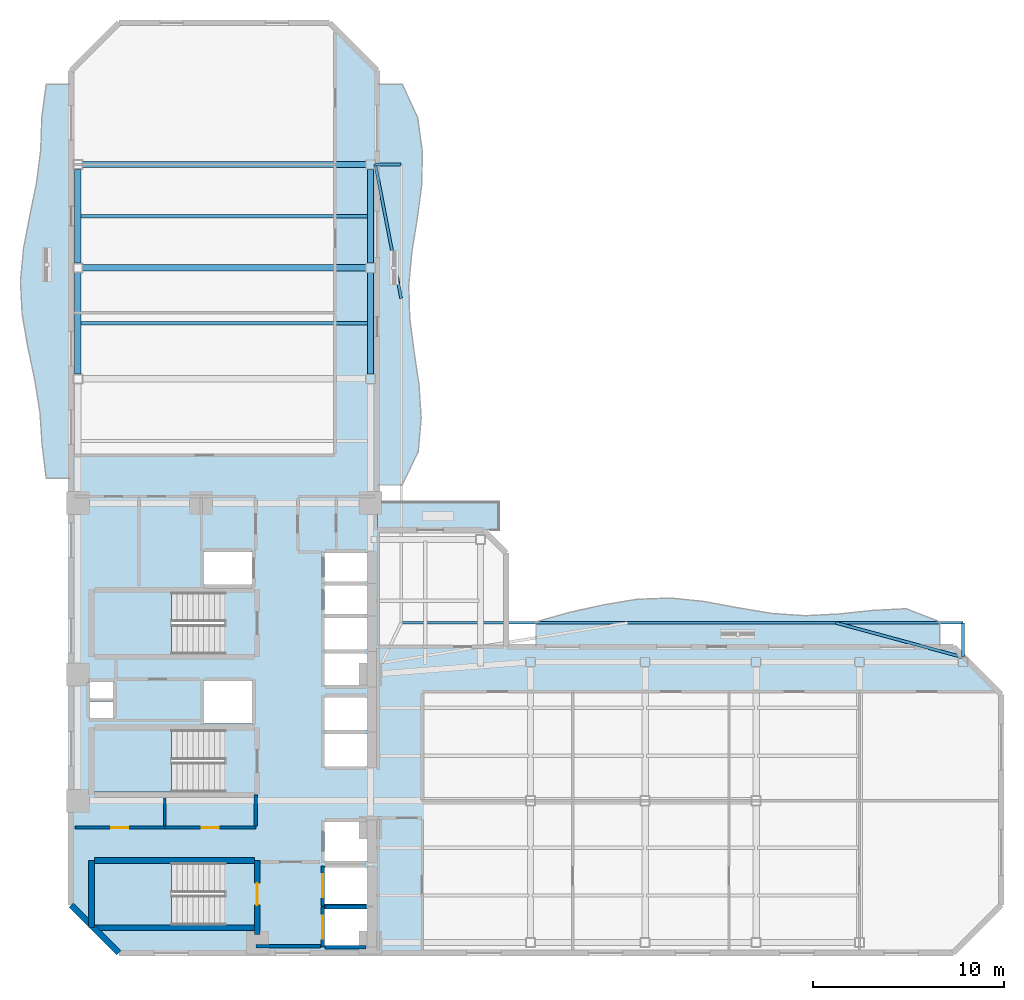
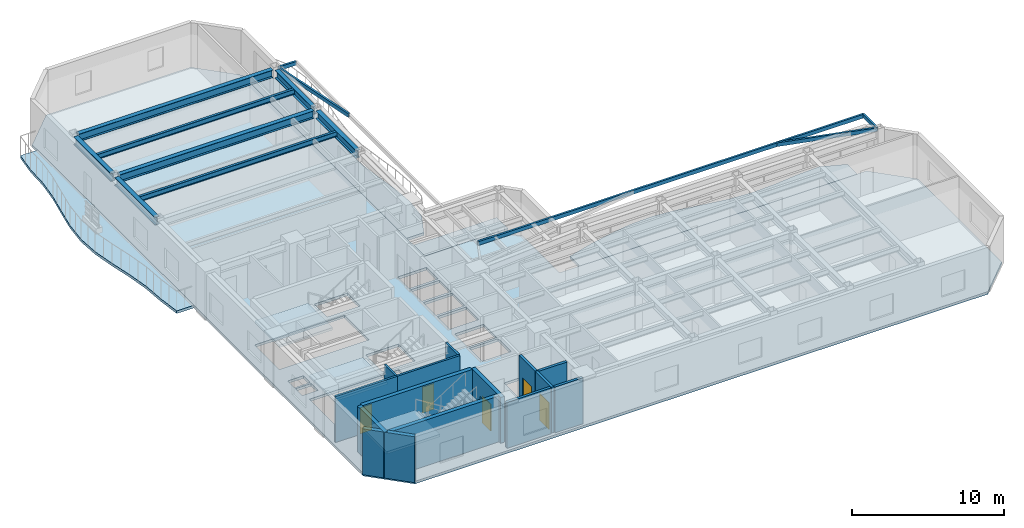
# One storey, part 2 of 10: 14 walls, 13 beams, 8 slabs, 5 doors, 5 openings, 3 elements without a shape of their own.
"""IFC4 building model written with IfcOpenShell, lengths in metres."""

from ifc_helpers import new_model, si_unit, direction, frame, frame_2d, origin, origin_2d, place, context, subcontext, project, spatial, polyline, rectangle, hollow_rectangle, i_section, outline, extrude, material, layer, layer_set, material_profile, profile_set, type_object, element, fill, aggregate, save


model = new_model("IFC4")

# Units and contexts
model_context = context("Model", 3, precision=1e-05, world=origin(), true_north=direction((0.0, 1.0)))
body_context = subcontext(model_context, "Body", "Model", "MODEL_VIEW")
ifc_project = project(units=[si_unit("LENGTHUNIT", "METRE"), si_unit("AREAUNIT", "SQUARE_METRE"), si_unit("VOLUMEUNIT", "CUBIC_METRE"), si_unit("PLANEANGLEUNIT", "RADIAN"), si_unit("MASSUNIT", "GRAM", prefix="KILO")], contexts=[model_context])

# Site, building, storey
site_placement = place(None, origin())
site = spatial("IfcSite", under=ifc_project, at=site_placement, CompositionType="ELEMENT")
building_placement = place(site_placement, origin())
building = spatial("IfcBuilding", under=site, at=building_placement, Name="Mawjaban Terraces University", CompositionType="ELEMENT")
storey_placement = place(building_placement, frame((0.0, 0.0, 158.0)))
storey = spatial("IfcBuildingStorey", under=building, at=storey_placement, Name="L38", CompositionType="ELEMENT", Elevation=158.0)

# Beams
ifc_material_1 = material(Name="Steel EN 10210-1 S355J2H", Category="steel")
ifc_material_profile_1 = material_profile(ifc_material_1, hollow_rectangle(XDim=0.14990234375, YDim=0.300048828125, WallThickness=0.012451171875, at=origin_2d()), Name="RHS300X150X12.5")
ifc_profile_set_1 = profile_set([ifc_material_profile_1], Name="Steel EN 10210-1 S355J2H")
beam_type_1 = type_object("IfcBeamType", Name="BalconyCantileverSpandrel_RHS", PredefinedType="SPANDREL", material=ifc_profile_set_1)
beam_1_placement = place(storey_placement, frame((68.60009765625, 15.449951171875, 3.5400390625), z_axis=(0.0, 1.0, 0.0), x_axis=(-1.0, 0.0, 0.0)))
element("IfcBeam", 1, at=beam_1_placement, inside=storey, type_object=beam_type_1, Name="L38 Exterior Outrigger BAL-L39-N.2", PredefinedType="SPANDREL", context=body_context, shape_type="SweptSolid", body=[
    extrude(hollow_rectangle(XDim=0.14990234375, YDim=0.300048828125, WallThickness=0.012451171875, at=origin_2d()), origin(), (0.0, 0.0, 1.0), 1.800048828125),
])
beam_2_placement = place(storey_placement, frame((39.25, 17.25, 3.5400390625), z_axis=(1.0, 0.0, 0.0), x_axis=(0.0, 1.0, 0.0)))
element("IfcBeam", 2, at=beam_2_placement, inside=storey, type_object=beam_type_1, Name="L38 Exterior Edge Spandrel BAL-L39-N", PredefinedType="SPANDREL", context=body_context, shape_type="SweptSolid", body=[
    extrude(hollow_rectangle(XDim=0.14990234375, YDim=0.300048828125, WallThickness=0.012451171875, at=origin_2d()), origin(), (0.0, 0.0, 1.0), 29.35009765625),
])
beam_3_placement = place(storey_placement, frame((68.60009765625, 15.449951171875, 3.5400390625), z_axis=(-0.96516478529, 0.261642766451, 0.0), x_axis=(-0.261642766451, -0.96516478529, 0.0)))
element("IfcBeam", 3, at=beam_3_placement, inside=storey, type_object=beam_type_1, Name="L38 Exterior Diagonal Strut BAL-L39-N.2", PredefinedType="SPANDREL", context=body_context, shape_type="SweptSolid", body=[
    extrude(hollow_rectangle(XDim=0.14990234375, YDim=0.300048828125, WallThickness=0.012451171875, at=origin_2d()), origin(), (0.0, 0.0, 1.0), 6.8798828125),
])
beam_4_placement = place(storey_placement, frame((37.89990234375, 41.199951171875, 3.5400390625), z_axis=(1.0, 0.0, 0.0), x_axis=(0.0, 1.0, 0.0)))
element("IfcBeam", 4, at=beam_4_placement, inside=storey, type_object=beam_type_1, Name="L38 Exterior Outrigger BAL-L39-E.2", PredefinedType="SPANDREL", context=body_context, shape_type="SweptSolid", body=[
    extrude(hollow_rectangle(XDim=0.14990234375, YDim=0.300048828125, WallThickness=0.012451171875, at=origin_2d()), origin(), (0.0, 0.0, 1.0), 1.35009765625),
])
beam_5_placement = place(storey_placement, frame((37.89990234375, 41.199951171875, 3.5400390625), z_axis=(0.189380842579, -0.981903710383, 0.0), x_axis=(0.981903710383, 0.189380842579, 0.0)))
element("IfcBeam", 5, at=beam_5_placement, inside=storey, type_object=beam_type_1, Name="L38 Exterior Diagonal Strut BAL-L39-E.1", PredefinedType="SPANDREL", context=body_context, shape_type="SweptSolid", body=[
    extrude(hollow_rectangle(XDim=0.14990234375, YDim=0.300048828125, WallThickness=0.012451171875, at=origin_2d()), origin(), (0.0, 0.0, 1.0), 7.12890625),
])
ifc_material_2 = material(Name="Steel ASTM A572 Grade 50", Category="steel")
ifc_material_profile_2 = material_profile(ifc_material_2, i_section(OverallWidth=0.324951171875, OverallDepth=0.615966796875, WebThickness=0.013916015625, FlangeThickness=0.021484375, at=origin_2d()), Name="W610X174")
ifc_profile_set_2 = profile_set([ifc_material_profile_2], Name="Steel ASTM A572 Grade 50")
beam_type_2 = type_object("IfcBeamType", Name="Beam_B_W610X174", PredefinedType="BEAM", material=ifc_profile_set_2)
for number, where, z_axis, x_axis, name in (
    (6, (22.60009765625, 35.800048828125, 3.382080078125), (1.0, 0.0, 0.0), (0.0, 1.0, 0.0), "L38 Beam BM-L38-EW-15"),
    (7, (22.60009765625, 41.199951171875, 3.382080078125), (1.0, 0.0, 0.0), (0.0, 1.0, 0.0), "L38 Beam BM-L38-EW-16"),
):
    element("IfcBeam", number, at=place(storey_placement, frame(where, z_axis=z_axis, x_axis=x_axis)), inside=storey, type_object=beam_type_2, Name=name, PredefinedType="BEAM", context=body_context, shape_type="SweptSolid", body=[
        extrude(i_section(OverallWidth=0.324951171875, OverallDepth=0.615966796875, WebThickness=0.013916015625, FlangeThickness=0.021484375, at=origin_2d()), origin(), (0.0, 0.0, 1.0), 14.7998046875),
    ])
beam_6_placement = place(storey_placement, frame((22.35009765625, 30.25, 3.382080078125), z_axis=(0.0, 1.0, 0.0), x_axis=(-1.0, 0.0, 0.0)))
element("IfcBeam", 8, at=beam_6_placement, inside=storey, type_object=beam_type_2, Name="L38 Beam BM-L38-NS-04", PredefinedType="BEAM", context=body_context, shape_type="SweptSolid", body=[
    extrude(i_section(OverallWidth=0.324951171875, OverallDepth=0.615966796875, WebThickness=0.013916015625, FlangeThickness=0.021484375, at=origin_2d()), origin(), (0.0, 0.0, 1.0), 5.300048828125),
])
beam_7_placement = place(storey_placement, frame((22.35009765625, 36.050048828125, 3.382080078125), z_axis=(0.0, 1.0, 0.0), x_axis=(-1.0, 0.0, 0.0)))
element("IfcBeam", 9, at=beam_7_placement, inside=storey, type_object=beam_type_2, Name="L38 Beam BM-L38-NS-05", PredefinedType="BEAM", context=body_context, shape_type="SweptSolid", body=[
    extrude(i_section(OverallWidth=0.324951171875, OverallDepth=0.615966796875, WebThickness=0.013916015625, FlangeThickness=0.021484375, at=origin_2d()), origin(), (0.0, 0.0, 1.0), 4.89990234375),
])
beam_8_placement = place(storey_placement, frame((37.64990234375, 30.25, 3.382080078125), z_axis=(0.0, 1.0, 0.0), x_axis=(-1.0, 0.0, 0.0)))
element("IfcBeam", 10, at=beam_8_placement, inside=storey, type_object=beam_type_2, Name="L38 Beam BM-L38-NS-10", PredefinedType="BEAM", context=body_context, shape_type="SweptSolid", body=[
    extrude(i_section(OverallWidth=0.324951171875, OverallDepth=0.615966796875, WebThickness=0.013916015625, FlangeThickness=0.021484375, at=origin_2d()), origin(), (0.0, 0.0, 1.0), 5.300048828125),
])
beam_9_placement = place(storey_placement, frame((37.64990234375, 36.050048828125, 3.382080078125), z_axis=(0.0, 1.0, 0.0), x_axis=(-1.0, 0.0, 0.0)))
element("IfcBeam", 11, at=beam_9_placement, inside=storey, type_object=beam_type_2, Name="L38 Beam BM-L38-NS-11", PredefinedType="BEAM", context=body_context, shape_type="SweptSolid", body=[
    extrude(i_section(OverallWidth=0.324951171875, OverallDepth=0.615966796875, WebThickness=0.013916015625, FlangeThickness=0.021484375, at=origin_2d()), origin(), (0.0, 0.0, 1.0), 4.89990234375),
])
ifc_material_profile_3 = material_profile(ifc_material_2, i_section(OverallWidth=0.179931640625, OverallDepth=0.4130859375, WebThickness=0.009765625, FlangeThickness=0.01611328125, at=origin_2d()), Name="W410X74")
ifc_profile_set_3 = profile_set([ifc_material_profile_3], Name="Steel ASTM A572 Grade 50")
beam_type_3 = type_object("IfcBeamType", Name="Beam_J_W410X74", PredefinedType="JOIST", material=ifc_profile_set_3)
for number, where, z_axis, x_axis, name in (
    (12, (22.429931640625, 32.89990234375, 3.48291015625), (1.0, 0.0, 0.0), (0.0, 1.0, 0.0), "L38 Composite Joist JST-L38-19"),
    (13, (22.429931640625, 38.5, 3.48291015625), (1.0, 0.0, 0.0), (0.0, 1.0, 0.0), "L38 Composite Joist JST-L38-20"),
):
    element("IfcBeam", number, at=place(storey_placement, frame(where, z_axis=z_axis, x_axis=x_axis)), inside=storey, type_object=beam_type_3, Name=name, PredefinedType="JOIST", context=body_context, shape_type="SweptSolid", body=[
        extrude(i_section(OverallWidth=0.179931640625, OverallDepth=0.4130859375, WebThickness=0.009765625, FlangeThickness=0.01611328125, at=origin_2d()), origin(), (0.0, 0.0, 1.0), 15.14013671875),
    ])

# Slabs
ifc_material_3 = material(Name="Concrete C40/50", Category="concrete")
ifc_layer_1 = layer(ifc_material_3, 0.2099609375)
ifc_layer_set_1 = layer_set([ifc_layer_1], Name="Concrete C40/50")
slab_type_1 = type_object("IfcSlabType", Name="BalconySlab_210_Ext", PredefinedType="FLOOR", material=ifc_layer_set_1)
slab_1_placement = place(storey_placement, frame((0.0, 0.0, -0.2099609375)))
element("IfcSlab", 14, at=slab_1_placement, inside=storey, type_object=slab_type_1, Name="L38 Planted Balcony Slab west", PredefinedType="FLOOR", context=body_context, shape_type="SweptSolid", body=[
    extrude(outline(polyline([(22.010009765625, 24.800048828125), (22.010009765625, 45.39990234375), (20.699951171875, 45.39990234375), (20.470947265625, 43.68310546875), (20.4140625, 41.967041015625), (20.194091796875, 40.25), (19.846923828125, 38.532958984375), (19.514892578125, 36.81689453125), (19.35400390625, 35.10009765625), (19.44189453125, 33.383056640625), (19.737060546875, 31.6669921875), (20.10009765625, 29.949951171875), (20.3740234375, 28.23291015625), (20.488037109375, 26.51708984375), (20.699951171875, 24.800048828125), (22.010009765625, 24.800048828125)])), origin(), (0.0, 0.0, 1.0), 0.2099609375),
])
slab_2_placement = place(storey_placement, frame((0.0, 0.0, -0.2099609375)))
element("IfcSlab", 15, at=slab_2_placement, inside=storey, type_object=slab_type_1, Name="L38 Planted Balcony Slab inner_north", PredefinedType="FLOOR", context=body_context, shape_type="SweptSolid", body=[
    extrude(outline(polyline([(46.2939453125, 15.989990234375), (67.39990234375, 15.989990234375), (67.39990234375, 17.300048828125), (65.64111328125, 17.985107421875), (63.882080078125, 17.89794921875), (62.1240234375, 17.7099609375), (60.364990234375, 17.62109375), (58.60595703125, 17.739013671875), (56.846923828125, 18.034912109375), (55.087890625, 18.362060546875), (53.3291015625, 18.5439453125), (51.570068359375, 18.47802734375), (49.81201171875, 18.18505859375), (48.052978515625, 17.7958984375), (46.2939453125, 17.300048828125), (46.2939453125, 15.989990234375)])), origin(), (0.0, 0.0, 1.0), 0.2099609375),
])
slab_3_placement = place(storey_placement, frame((0.0, 0.0, -0.2099609375)))
element("IfcSlab", 16, at=slab_3_placement, inside=storey, type_object=slab_type_1, Name="L38 Planted Balcony Slab inner_east", PredefinedType="FLOOR", context=body_context, shape_type="SweptSolid", body=[
    extrude(outline(polyline([(39.300048828125, 24.449951171875), (40.139892578125, 26.196044921875), (40.29296875, 27.94189453125), (40.179931640625, 29.68798828125), (39.9208984375, 31.43310546875), (39.694091796875, 33.178955078125), (39.64599609375, 34.925048828125), (39.81201171875, 36.6708984375), (40.095947265625, 38.4169921875), (40.326904296875, 40.162109375), (40.35009765625, 41.907958984375), (40.10693359375, 43.654052734375), (39.300048828125, 45.39990234375), (37.989990234375, 45.39990234375), (37.989990234375, 24.449951171875), (39.300048828125, 24.449951171875)])), origin(), (0.0, 0.0, 1.0), 0.2099609375),
])
ifc_layer_2 = layer(ifc_material_3, 0.2099609375)
ifc_layer_set_2 = layer_set([ifc_layer_2], Name="Concrete C40/50")
slab_type_2 = type_object("IfcSlabType", Name="CompositeSlab_210", PredefinedType="FLOOR", material=ifc_layer_set_2)
slab_4_placement = place(storey_placement, frame((0.0, 0.0, -0.2099609375)))
element("IfcSlab", 17, at=slab_4_placement, inside=storey, type_object=slab_type_2, Name="L38 Primary Structural Slab", PredefinedType="FLOOR", context=body_context, shape_type="SweptSolid", body=[
    extrude(outline(polyline([(24.5, 0.0), (68.10009765625, 0.0), (70.60009765625, 2.5), (70.60009765625, 13.5), (68.10009765625, 16.0), (44.740966796875, 16.0), (44.740966796875, 20.89990234375), (43.541015625, 22.10009765625), (38.0, 22.10009765625), (38.0, 46.10009765625), (35.5, 48.60009765625), (24.5, 48.60009765625), (22.0, 46.10009765625), (22.0, 2.5), (24.5, 0.0)]), holes=[polyline([(30.014892578125, 4.699951171875), (23.199951171875, 4.699951171875), (23.199951171875, 1.449951171875), (30.014892578125, 1.449951171875), (30.014892578125, 4.699951171875)]), polyline([(30.014892578125, 18.85009765625), (23.199951171875, 18.85009765625), (23.199951171875, 15.60009765625), (30.014892578125, 15.60009765625), (30.014892578125, 18.85009765625)]), polyline([(30.014892578125, 11.64990234375), (23.199951171875, 11.64990234375), (23.199951171875, 8.39990234375), (30.014892578125, 8.39990234375), (30.014892578125, 11.64990234375)]), polyline([(35.25, 0.39990234375), (37.449951171875, 0.39990234375), (37.449951171875, 2.300048828125), (35.25, 2.300048828125), (35.25, 0.39990234375)]), polyline([(35.25, 2.550048828125), (37.449951171875, 2.550048828125), (37.449951171875, 4.449951171875), (35.25, 4.449951171875), (35.25, 2.550048828125)]), polyline([(35.25, 4.800048828125), (37.449951171875, 4.800048828125), (37.449951171875, 6.85009765625), (35.25, 6.85009765625), (35.25, 4.800048828125)]), polyline([(35.25, 9.75), (37.449951171875, 9.75), (37.449951171875, 11.449951171875), (35.25, 11.449951171875), (35.25, 9.75)]), polyline([(35.25, 11.64990234375), (37.449951171875, 11.64990234375), (37.449951171875, 13.35009765625), (35.25, 13.35009765625), (35.25, 11.64990234375)]), polyline([(28.949951171875, 12.0), (31.449951171875, 12.0), (31.449951171875, 14.199951171875), (28.949951171875, 14.199951171875), (28.949951171875, 12.0)]), polyline([(35.25, 14.0), (37.449951171875, 14.0), (37.449951171875, 15.64990234375), (35.25, 15.64990234375), (35.25, 14.0)]), polyline([(35.25, 15.85009765625), (37.449951171875, 15.85009765625), (37.449951171875, 17.5), (35.25, 17.5), (35.25, 15.85009765625)]), polyline([(35.25, 17.699951171875), (37.449951171875, 17.699951171875), (37.449951171875, 19.199951171875), (35.25, 19.199951171875), (35.25, 17.699951171875)]), polyline([(35.25, 19.39990234375), (37.449951171875, 19.39990234375), (37.449951171875, 20.89990234375), (35.25, 20.89990234375), (35.25, 19.39990234375)]), polyline([(28.949951171875, 19.25), (31.449951171875, 19.25), (31.449951171875, 20.949951171875), (28.949951171875, 20.949951171875), (28.949951171875, 19.25)]), polyline([(23.0, 12.25), (24.199951171875, 12.25), (24.199951171875, 13.14990234375), (23.0, 13.14990234375), (23.0, 12.25)]), polyline([(23.0, 13.300048828125), (24.199951171875, 13.300048828125), (24.199951171875, 14.179931640625), (23.0, 14.179931640625), (23.0, 13.300048828125)])]), origin(), (0.0, 0.0, 1.0), 0.2099609375),
])

# Stair, slab
stair_type = type_object("IfcStairType", Name="Stair_Core1550_H39", PredefinedType="HALF_TURN_STAIR", material=ifc_material_3)
stair_1_placement = place(storey_placement, origin())
stair_1 = element("IfcStair", 18, at=stair_1_placement, inside=storey, type_object=stair_type, Name="L38 Core Exit Stair 1", PredefinedType="HALF_TURN_STAIR")
ifc_layer_3 = layer(ifc_material_3, 0.199951171875)
ifc_layer_set_3 = layer_set([ifc_layer_3], Name="Concrete C40/50")
slab_type_3 = type_object("IfcSlabType", Name="StairLandingSlab_200", PredefinedType="LANDING", material=ifc_layer_set_3)
slab_5_placement = place(storey_placement, frame((0.0, 0.0, 1.75)))
slab_5 = element("IfcSlab", 19, at=slab_5_placement, type_object=slab_type_3, Name="ST-1 landing 1", PredefinedType="LANDING", context=body_context, shape_type="SweptSolid", body=[
    extrude(outline(polyline([(27.25, 4.699951171875), (23.199951171875, 4.699951171875), (23.199951171875, 1.449951171875), (27.25, 1.449951171875), (27.25, 4.699951171875)])), origin(), (0.0, 0.0, 1.0), 0.199951171875),
])
aggregate(stair_1, [slab_5])

stair_2_placement = place(storey_placement, origin())
stair_2 = element("IfcStair", 20, at=stair_2_placement, inside=storey, type_object=stair_type, Name="L38 Core Exit Stair 2", PredefinedType="HALF_TURN_STAIR")
slab_6_placement = place(storey_placement, frame((0.0, 0.0, 1.75)))
slab_6 = element("IfcSlab", 21, at=slab_6_placement, type_object=slab_type_3, Name="ST-2 landing 1", PredefinedType="LANDING", context=body_context, shape_type="SweptSolid", body=[
    extrude(outline(polyline([(27.25, 18.85009765625), (23.199951171875, 18.85009765625), (23.199951171875, 15.60009765625), (27.25, 15.60009765625), (27.25, 18.85009765625)])), origin(), (0.0, 0.0, 1.0), 0.199951171875),
])
aggregate(stair_2, [slab_6])

stair_3_placement = place(storey_placement, origin())
stair_3 = element("IfcStair", 22, at=stair_3_placement, inside=storey, type_object=stair_type, Name="L38 Core Exit Stair 3", PredefinedType="HALF_TURN_STAIR")
slab_7_placement = place(storey_placement, frame((0.0, 0.0, 1.75)))
slab_7 = element("IfcSlab", 23, at=slab_7_placement, type_object=slab_type_3, Name="ST-3 landing 1", PredefinedType="LANDING", context=body_context, shape_type="SweptSolid", body=[
    extrude(outline(polyline([(27.25, 11.64990234375), (23.199951171875, 11.64990234375), (23.199951171875, 8.39990234375), (27.25, 8.39990234375), (27.25, 11.64990234375)])), origin(), (0.0, 0.0, 1.0), 0.199951171875),
])
aggregate(stair_3, [slab_7])

# Slab
ifc_layer_4 = layer(ifc_material_3, 0.2099609375)
ifc_layer_set_4 = layer_set([ifc_layer_4], Name="Concrete C40/50")
slab_type_4 = type_object("IfcSlabType", Name="StudyTerraceSlab_210_Ext", PredefinedType="FLOOR", material=ifc_layer_set_4)
slab_8_placement = place(storey_placement, frame((0.0, 0.0, -0.2099609375)))
element("IfcSlab", 24, at=slab_8_placement, inside=storey, type_object=slab_type_4, Name="L38 Exterior Study Terrace Slab", PredefinedType="FLOOR", context=body_context, shape_type="SweptSolid", body=[
    extrude(outline(polyline([(38.0, 22.10009765625), (44.341064453125, 22.10009765625), (44.341064453125, 23.550048828125), (38.0, 23.550048828125), (38.0, 22.10009765625)])), origin(), (0.0, 0.0, 1.0), 0.2099609375),
])

# Wall, opening, door
ifc_material_4 = material(Name="Fire-rated gypsum board on steel stud", Category="steel")
ifc_layer_5 = layer(ifc_material_4, 0.159912109375)
ifc_layer_set_5 = layer_set([ifc_layer_5], Name="Fire-rated gypsum board on steel stud")
wall_type_1 = type_object("IfcWallType", Name="CorridorPartition_160", PredefinedType="PARTITIONING", material=ifc_layer_set_5)
wall_1_placement = place(storey_placement, frame((26.89990234375, 6.550048828125, 0.0), z_axis=(0.0, 0.0, 1.0), x_axis=(-1.0, 0.0, 0.0)))
wall_1 = element("IfcWall", 25, at=wall_1_placement, inside=storey, type_object=wall_type_1, Name="L38 Core Washroom Lobby Partition 4", PredefinedType="PARTITIONING", context=body_context, shape_type="SweptSolid", body=[
    extrude(rectangle(XDim=4.699951171875, YDim=0.159912109375, at=frame_2d((2.35009765625, 0.0))), origin(), (0.0, 0.0, 1.0), 3.68994140625),
])
opening_1_placement = place(wall_1_placement, frame((1.909912109375, 0.0, 0.0)))
opening_1 = element("IfcOpeningElement", 26, at=opening_1_placement, cuts=wall_1, Name="Opening ID-088", PredefinedType="OPENING", context=body_context, shape_type="SweptSolid", body=[
    extrude(rectangle(XDim=0.8798828125, YDim=2.10009765625, at=frame_2d((0.43994140625, 1.050048828125))), frame((0.0, 0.08984375, 0.0), z_axis=(0.0, -1.0, 0.0), x_axis=(1.0, 0.0, 0.0)), (0.0, 0.0, 1.0), 0.179931640625),
])
ifc_material_5 = material(Name="Powder-coated steel frame and solid acoustic timber leaf", Category="steel")
door_type_1 = type_object("IfcDoorType", Name="ToiletDoor_880x2100", OperationType="NOTDEFINED", PredefinedType="DOOR", material=ifc_material_5)
door_1_placement = place(opening_1_placement, origin())
door_1 = element("IfcDoor", 27, at=door_1_placement, inside=storey, type_object=door_type_1, Name="L38 Male Toilet Door", OperationType="SINGLE_SWING_RIGHT", OverallHeight=2.10009765625, OverallWidth=0.8798828125, PredefinedType="DOOR", context=body_context, shape_type="SweptSolid", body=[
    extrude(rectangle(XDim=0.8798828125, YDim=2.10009765625, at=frame_2d((0.43994140625, 1.050048828125))), frame((0.0, 0.02490234375, 0.0), z_axis=(0.0, -1.0, 0.0), x_axis=(1.0, 0.0, 0.0)), (0.0, 0.0, 1.0), 0.050048828125),
])
fill(opening_1, door_1)

wall_2_placement = place(storey_placement, frame((31.64990234375, 6.550048828125, 0.0), z_axis=(0.0, 0.0, 1.0), x_axis=(-1.0, 0.0, 0.0)))
wall_2 = element("IfcWall", 28, at=wall_2_placement, inside=storey, type_object=wall_type_1, Name="L38 Core Washroom Lobby Partition 7", PredefinedType="PARTITIONING", context=body_context, shape_type="SweptSolid", body=[
    extrude(rectangle(XDim=4.75, YDim=0.159912109375, at=frame_2d((2.375, 0.0))), origin(), (0.0, 0.0, 1.0), 3.68994140625),
])
opening_2_placement = place(wall_2_placement, frame((1.93505859375, 0.0, 0.0)))
opening_2 = element("IfcOpeningElement", 29, at=opening_2_placement, cuts=wall_2, Name="Opening ID-088", PredefinedType="OPENING", context=body_context, shape_type="SweptSolid", body=[
    extrude(rectangle(XDim=0.8798828125, YDim=2.10009765625, at=frame_2d((0.43994140625, 1.050048828125))), frame((0.0, 0.08984375, 0.0), z_axis=(0.0, -1.0, 0.0), x_axis=(1.0, 0.0, 0.0)), (0.0, 0.0, 1.0), 0.179931640625),
])
door_2_placement = place(opening_2_placement, origin())
door_2 = element("IfcDoor", 30, at=door_2_placement, inside=storey, type_object=door_type_1, Name="L38 Accessible Toilet Door", OperationType="SINGLE_SWING_LEFT", OverallHeight=2.10009765625, OverallWidth=0.8798828125, PredefinedType="DOOR", context=body_context, shape_type="SweptSolid", body=[
    extrude(rectangle(XDim=0.8798828125, YDim=2.10009765625, at=frame_2d((0.43994140625, 1.050048828125))), frame((0.0, 0.02490234375, 0.0), z_axis=(0.0, -1.0, 0.0), x_axis=(1.0, 0.0, 0.0)), (0.0, 0.0, 1.0), 0.050048828125),
])
fill(opening_2, door_2)

# Walls
wall_3_placement = place(storey_placement, frame((31.64990234375, 8.239990234375, 0.0), z_axis=(0.0, 0.0, 1.0), x_axis=(0.0, -1.0, 0.0)))
element("IfcWall", 31, at=wall_3_placement, inside=storey, type_object=wall_type_1, Name="L38 Passenger Lift Lobby Partition 31", PredefinedType="PARTITIONING", context=body_context, shape_type="SweptSolid", body=[
    extrude(rectangle(XDim=1.614990234375, YDim=0.159912109375, at=frame_2d((0.8076171875, 0.0))), origin(), (0.0, 0.0, 1.0), 3.68994140625),
])
ifc_material_6 = material(Name="Insulated terracotta rainscreen on concrete backup C40/50", Category="masonry")
ifc_layer_6 = layer(ifc_material_6, 0.300048828125)
ifc_layer_set_6 = layer_set([ifc_layer_6], Name="Insulated terracotta rainscreen on concrete backup C40/50")
wall_type_2 = type_object("IfcWallType", Name="ExtTerracottaWall_300", PredefinedType="SOLIDWALL", material=ifc_layer_set_6)
wall_4_placement = place(storey_placement, frame((22.0, 2.5, 0.0), z_axis=(0.0, 0.0, 1.0), x_axis=(0.707106781187, -0.707106781187, 0.0)))
element("IfcWall", 32, at=wall_4_placement, inside=storey, type_object=wall_type_2, Name="L38 Exterior Terracotta Wall 14", PredefinedType="SOLIDWALL", context=body_context, shape_type="SweptSolid", body=[
    extrude(rectangle(XDim=3.53564453125, YDim=0.300048828125, at=frame_2d((1.767822265625, 0.0))), origin(), (0.0, 0.0, 1.0), 3.68994140625),
])

# Wall, opening, door
ifc_layer_7 = layer(ifc_material_3, 0.199951171875)
ifc_layer_set_7 = layer_set([ifc_layer_7], Name="Concrete C40/50")
wall_type_3 = type_object("IfcWallType", Name="FireLobbyWall_200", PredefinedType="SOLIDWALL", material=ifc_layer_set_7)
wall_5_placement = place(storey_placement, frame((35.14990234375, 2.39990234375, 0.0), z_axis=(0.0, 0.0, 1.0), x_axis=(0.0, -1.0, 0.0)))
wall_5 = element("IfcWall", 33, at=wall_5_placement, inside=storey, type_object=wall_type_3, Name="L38 Lift FL-1 Hoistway Wall West", PredefinedType="SOLIDWALL", context=body_context, shape_type="SweptSolid", body=[
    extrude(rectangle(XDim=2.099853515625, YDim=0.199951171875, at=frame_2d((1.0498046875, 0.0))), origin(), (0.0, 0.0, 1.0), 3.68994140625),
])
opening_3_placement = place(wall_5_placement, frame((0.449951171875, 0.0, 0.0)))
opening_3 = element("IfcOpeningElement", 34, at=opening_3_placement, cuts=wall_5, Name="Opening LD-FL-1", PredefinedType="OPENING", context=body_context, shape_type="SweptSolid", body=[
    extrude(rectangle(XDim=1.199951171875, YDim=2.14990234375, at=frame_2d((0.60009765625, 1.074951171875))), frame((0.0, 0.10986328125, 0.0), z_axis=(0.0, -1.0, 0.0), x_axis=(1.0, 0.0, 0.0)), (0.0, 0.0, 1.0), 0.219970703125),
])
ifc_material_7 = material(Name="Powder-coated steel frame and fire-rated steel-faced leaf", Category="steel")
door_type_2 = type_object("IfcDoorType", Name="LiftLandingFSAE_1200x2150", OperationType="NOTDEFINED", PredefinedType="DOOR", material=ifc_material_7)
door_3_placement = place(opening_3_placement, origin())
door_3 = element("IfcDoor", 35, at=door_3_placement, inside=storey, type_object=door_type_2, Name="L38 Lift FL-1 Sliding Landing Door", OperationType="DOUBLE_DOOR_SLIDING", OverallHeight=2.14990234375, OverallWidth=1.199951171875, PredefinedType="DOOR", context=body_context, shape_type="SweptSolid", body=[
    extrude(rectangle(XDim=1.199951171875, YDim=2.14990234375, at=frame_2d((0.60009765625, 1.074951171875))), frame((0.0, 0.02490234375, 0.0), z_axis=(0.0, -1.0, 0.0), x_axis=(1.0, 0.0, 0.0)), (0.0, 0.0, 1.0), 0.050048828125),
])
fill(opening_3, door_3)

# Walls
for number, where, z_axis, x_axis, name in (
    (36, (35.280029296875, 0.300048828125, 0.0), (0.0, 0.0, 1.0), (1.0, 0.0, 0.0), "L38 Lift FL-1 Hoistway Wall South"),
    (37, (37.419921875, 2.39990234375, 0.0), (0.0, 0.0, 1.0), (-1.0, 0.0, 0.0), "L38 Lift FL-1 Hoistway Wall North"),
):
    element("IfcWall", number, at=place(storey_placement, frame(where, z_axis=z_axis, x_axis=x_axis)), inside=storey, type_object=wall_type_3, Name=name, PredefinedType="SOLIDWALL", context=body_context, shape_type="SweptSolid", body=[
        extrude(rectangle(XDim=2.139892578125, YDim=0.199951171875, at=frame_2d((1.06982421875, 0.0))), origin(), (0.0, 0.0, 1.0), 3.68994140625),
    ])

# Wall, opening, door
wall_6_placement = place(storey_placement, frame((35.14990234375, 4.550048828125, 0.0), z_axis=(0.0, 0.0, 1.0), x_axis=(0.0, -1.0, 0.0)))
wall_6 = element("IfcWall", 38, at=wall_6_placement, inside=storey, type_object=wall_type_3, Name="L38 Lift FL-2 Hoistway Wall West", PredefinedType="SOLIDWALL", context=body_context, shape_type="SweptSolid", body=[
    extrude(rectangle(XDim=2.10009765625, YDim=0.199951171875, at=frame_2d((1.050048828125, 0.0))), origin(), (0.0, 0.0, 1.0), 3.68994140625),
])
opening_4_placement = place(wall_6_placement, frame((0.449951171875, 0.0, 0.0)))
opening_4 = element("IfcOpeningElement", 39, at=opening_4_placement, cuts=wall_6, Name="Opening LD-FL-2", PredefinedType="OPENING", context=body_context, shape_type="SweptSolid", body=[
    extrude(rectangle(XDim=1.199951171875, YDim=2.14990234375, at=frame_2d((0.60009765625, 1.074951171875))), frame((0.0, 0.10986328125, 0.0), z_axis=(0.0, -1.0, 0.0), x_axis=(1.0, 0.0, 0.0)), (0.0, 0.0, 1.0), 0.219970703125),
])
door_4_placement = place(opening_4_placement, origin())
door_4 = element("IfcDoor", 40, at=door_4_placement, inside=storey, type_object=door_type_2, Name="L38 Lift FL-2 Sliding Landing Door", OperationType="DOUBLE_DOOR_SLIDING", OverallHeight=2.14990234375, OverallWidth=1.199951171875, PredefinedType="DOOR", context=body_context, shape_type="SweptSolid", body=[
    extrude(rectangle(XDim=1.199951171875, YDim=2.14990234375, at=frame_2d((0.60009765625, 1.074951171875))), frame((0.0, 0.02490234375, 0.0), z_axis=(0.0, -1.0, 0.0), x_axis=(1.0, 0.0, 0.0)), (0.0, 0.0, 1.0), 0.050048828125),
])
fill(opening_4, door_4)

# Walls
wall_7_placement = place(storey_placement, frame((31.64990234375, 0.35009765625, 0.0), z_axis=(0.0, 0.0, 1.0), x_axis=(1.0, 0.0, 0.0)))
element("IfcWall", 41, at=wall_7_placement, inside=storey, type_object=wall_type_3, Name="L38 Firefighting Lift Lobby Partition 6", PredefinedType="SOLIDWALL", context=body_context, shape_type="SweptSolid", body=[
    extrude(rectangle(XDim=3.3701171875, YDim=0.199951171875, at=frame_2d((1.68505859375, 0.0))), origin(), (0.0, 0.0, 1.0), 3.68994140625),
])
ifc_material_8 = material(Name="Concrete C60/75", Category="concrete")
ifc_layer_8 = layer(ifc_material_8, 0.300048828125)
ifc_layer_set_8 = layer_set([ifc_layer_8], Name="Concrete C60/75")
wall_type_4 = type_object("IfcWallType", Name="StairShaftWall_300", PredefinedType="SHEAR", material=ifc_layer_set_8)
wall_8_placement = place(storey_placement, frame((31.580078125, 4.830078125, 0.0), z_axis=(0.0, 0.0, 1.0), x_axis=(-1.0, 0.0, 0.0)))
element("IfcWall", 42, at=wall_8_placement, inside=storey, type_object=wall_type_4, Name="L38 ST-1 Stair Shaft Wall 1", PredefinedType="SHEAR", context=body_context, shape_type="SweptSolid", body=[
    extrude(rectangle(XDim=8.360107421875, YDim=0.300048828125, at=frame_2d((4.18017578125, 0.0))), origin(), (0.0, 0.0, 1.0), 3.68994140625),
])
wall_9_placement = place(storey_placement, frame((23.070068359375, 4.830078125, 0.0), z_axis=(0.0, 0.0, 1.0), x_axis=(0.0, -1.0, 0.0)))
element("IfcWall", 43, at=wall_9_placement, inside=storey, type_object=wall_type_4, Name="L38 ST-1 Stair Shaft Wall 2", PredefinedType="SHEAR", context=body_context, shape_type="SweptSolid", body=[
    extrude(rectangle(XDim=3.510009765625, YDim=0.300048828125, at=frame_2d((1.7548828125, 0.0))), origin(), (0.0, 0.0, 1.0), 3.68994140625),
])
wall_10_placement = place(storey_placement, frame((23.219970703125, 1.320068359375, 0.0), z_axis=(0.0, 0.0, 1.0), x_axis=(1.0, 0.0, 0.0)))
element("IfcWall", 44, at=wall_10_placement, inside=storey, type_object=wall_type_4, Name="L38 ST-1 Stair Shaft Wall 3", PredefinedType="SHEAR", context=body_context, shape_type="SweptSolid", body=[
    extrude(rectangle(XDim=8.360107421875, YDim=0.300048828125, at=frame_2d((4.18017578125, 0.0))), origin(), (0.0, 0.0, 1.0), 3.68994140625),
])

# Wall, opening, door
wall_11_placement = place(storey_placement, frame((31.72998046875, 0.9599609375, 0.0), z_axis=(0.0, 0.0, 1.0), x_axis=(0.0, 1.0, 0.0)))
wall_11 = element("IfcWall", 45, at=wall_11_placement, inside=storey, type_object=wall_type_4, Name="L38 ST-1 Stair Shaft Wall 4", PredefinedType="SHEAR", context=body_context, shape_type="SweptSolid", body=[
    extrude(rectangle(XDim=3.8701171875, YDim=0.300048828125, at=frame_2d((1.93505859375, 0.0))), origin(), (0.0, 0.0, 1.0), 3.68994140625),
])
opening_5_placement = place(wall_11_placement, frame((1.5400390625, 0.0, 0.0)))
opening_5 = element("IfcOpeningElement", 46, at=opening_5_placement, cuts=wall_11, Name="Opening FD-115", PredefinedType="OPENING", context=body_context, shape_type="SweptSolid", body=[
    extrude(rectangle(XDim=1.14990234375, YDim=2.14990234375, at=frame_2d((0.574951171875, 1.074951171875))), frame((0.0, 0.159912109375, 0.0), z_axis=(0.0, -1.0, 0.0), x_axis=(1.0, 0.0, 0.0)), (0.0, 0.0, 1.0), 0.320068359375),
])
door_type_3 = type_object("IfcDoorType", Name="FireStairDoor_1150x2150", OperationType="NOTDEFINED", PredefinedType="DOOR", material=ifc_material_7)
door_5_placement = place(opening_5_placement, origin())
door_5 = element("IfcDoor", 47, at=door_5_placement, inside=storey, type_object=door_type_3, Name="L38 ST-1 Pressurised Stair Fire Door", OperationType="SINGLE_SWING_LEFT", OverallHeight=2.14990234375, OverallWidth=1.14990234375, PredefinedType="DOOR", context=body_context, shape_type="SweptSolid", body=[
    extrude(rectangle(XDim=1.14990234375, YDim=2.14990234375, at=frame_2d((0.574951171875, 1.074951171875))), frame((0.0, 0.02490234375, 0.0), z_axis=(0.0, -1.0, 0.0), x_axis=(1.0, 0.0, 0.0)), (0.0, 0.0, 1.0), 0.050048828125),
])
fill(opening_5, door_5)

# Wall
ifc_material_9 = material(Name="Cement-board wet-room partition", Category="masonry")
ifc_layer_9 = layer(ifc_material_9, 0.135009765625)
ifc_layer_set_9 = layer_set([ifc_layer_9], Name="Cement-board wet-room partition")
wall_type_5 = type_object("IfcWallType", Name="WetRoomPartition_135", PredefinedType="PARTITIONING", material=ifc_layer_set_9)
wall_12_placement = place(storey_placement, frame((26.89990234375, 6.625, 0.0), z_axis=(0.0, 0.0, 1.0), x_axis=(0.0, 1.0, 0.0)))
element("IfcWall", 48, at=wall_12_placement, inside=storey, type_object=wall_type_5, Name="L38 Male Toilet Partition 29", PredefinedType="PARTITIONING", context=body_context, shape_type="SweptSolid", body=[
    extrude(rectangle(XDim=1.465087890625, YDim=0.135009765625, at=frame_2d((0.732421875, 0.0))), origin(), (0.0, 0.0, 1.0), 3.68994140625),
])

save(model, "model.ifc")
